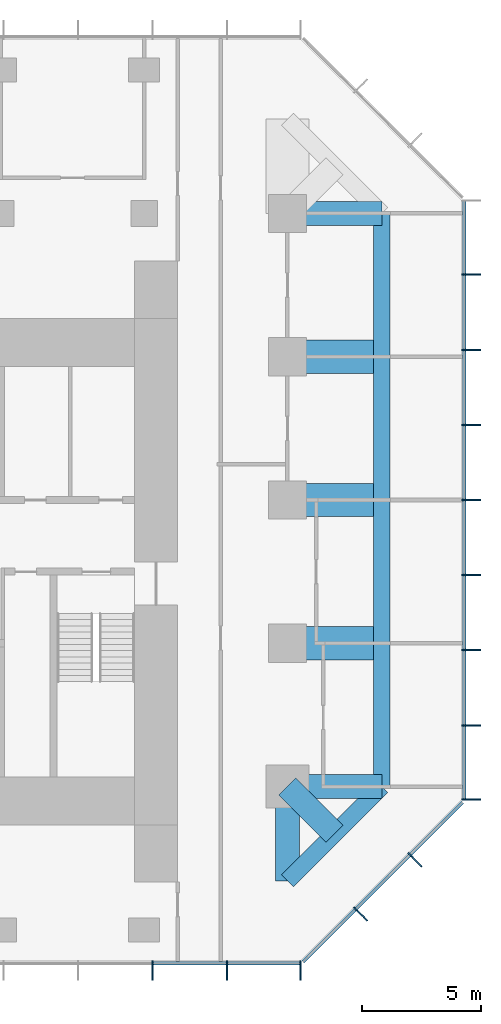
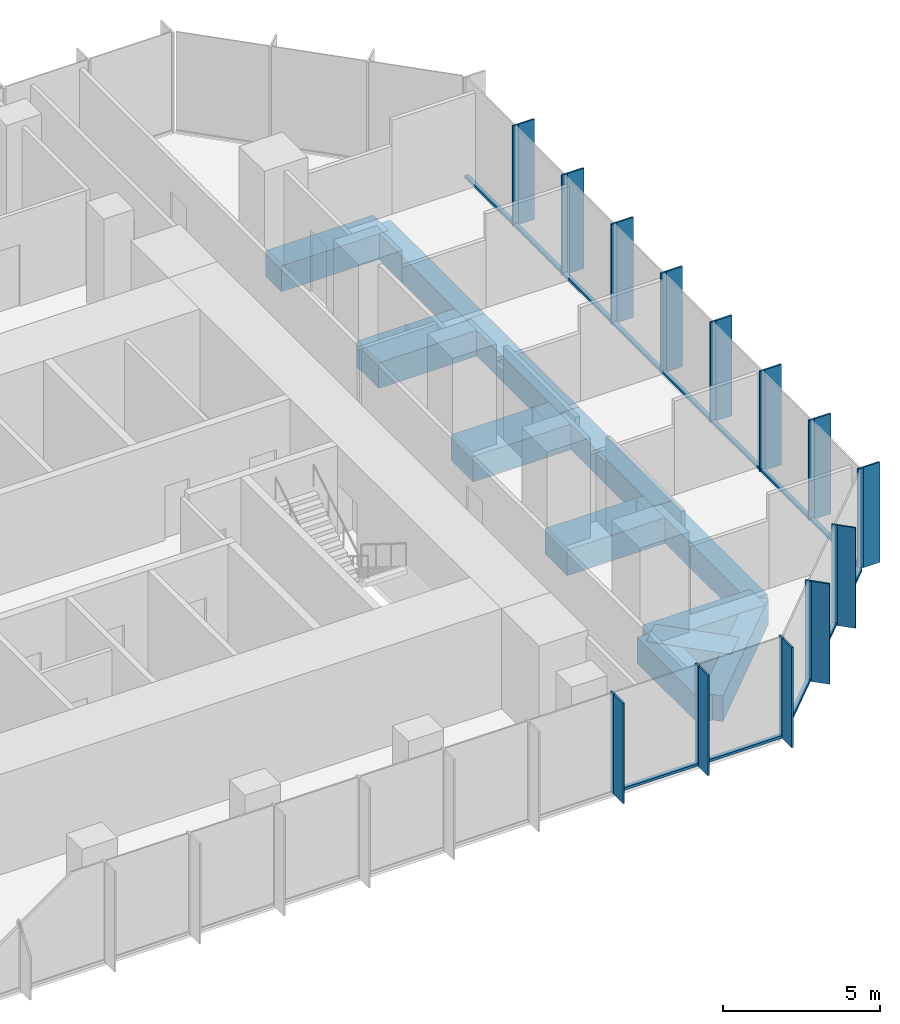
# One storey, part 4 of 10: 39 members, 12 beams, 3 elements without a shape of their own.
"""IFC4 building model written with IfcOpenShell, lengths in metres."""

from ifc_helpers import new_model, si_unit, direction, frame, origin, origin_2d, place, context, subcontext, project, spatial, rectangle, extrude, material, layer, layer_set, material_profile, profile_set, type_object, element, aggregate, save


model = new_model("IFC4")

# Units and contexts
model_context = context("Model", 3, precision=1e-05, world=origin(), true_north=direction((0.0, 1.0)))
body_context = subcontext(model_context, "Body", "Model", "MODEL_VIEW")
ifc_project = project(units=[si_unit("LENGTHUNIT", "METRE"), si_unit("AREAUNIT", "SQUARE_METRE"), si_unit("VOLUMEUNIT", "CUBIC_METRE"), si_unit("PLANEANGLEUNIT", "RADIAN"), si_unit("MASSUNIT", "GRAM", prefix="KILO")], contexts=[model_context])

# Site, building, storey
site_placement = place(None, origin())
site = spatial("IfcSite", under=ifc_project, at=site_placement, CompositionType="ELEMENT")
building_placement = place(site_placement, origin())
building = spatial("IfcBuilding", under=site, at=building_placement, Name="Highveld Stack Headquarters", CompositionType="ELEMENT")
storey_placement = place(building_placement, frame((0.0, 0.0, 248.89990234375)))
storey = spatial("IfcBuildingStorey", under=building, at=storey_placement, Name="L61", CompositionType="ELEMENT", Elevation=248.89990234375)

# Beams
ifc_material_1 = material(Name="Concrete C60/75", Category="concrete")
ifc_material_profile_1 = material_profile(ifc_material_1, rectangle(XDim=1.0, YDim=1.0, at=origin_2d()), Name="RC 1000x1000")
ifc_profile_set_1 = profile_set([ifc_material_profile_1], Name="Concrete C60/75")
beam_type_1 = type_object("IfcBeamType", Name="CANTILEVER RIB RC 1000x1000", PredefinedType="USERDEFINED", material=ifc_profile_set_1)
for number, where, z_axis, x_axis, name in (
    (1, (24.0, -6.0, -0.75), (1.0, 0.0, 0.0), (0.0, 1.0, 0.0), "Cantilever rib 10/D L61"),
    (2, (24.0, -6.0, -0.75), (0.0, -1.0, 0.0), (1.0, 0.0, 0.0), "Cantilever rib 10/D L61"),
):
    element("IfcBeam", number, at=place(storey_placement, frame(where, z_axis=z_axis, x_axis=x_axis)), inside=storey, type_object=beam_type_1, Name=name, ObjectType="CANTILEVER RIB", PredefinedType="USERDEFINED", context=body_context, shape_type="SweptSolid", body=[
        extrude(rectangle(XDim=1.0, YDim=1.0, at=origin_2d()), origin(), (0.0, 0.0, 1.0), 3.949951171875),
    ])
beam_1_placement = place(storey_placement, frame((24.0, -6.0, -0.75), z_axis=(0.707106781187, -0.707106781187, 0.0), x_axis=(0.707106781187, 0.707106781187, 0.0)))
element("IfcBeam", 3, at=beam_1_placement, inside=storey, type_object=beam_type_1, Name="Cantilever rib 10/D L61", ObjectType="CANTILEVER RIB", PredefinedType="USERDEFINED", context=body_context, shape_type="SweptSolid", body=[
    extrude(rectangle(XDim=1.0, YDim=1.0, at=origin_2d()), origin(), (0.0, 0.0, 1.0), 2.793212890625),
])
beam_2_placement = place(storey_placement, frame((24.0, 18.0, -0.75), z_axis=(1.0, 0.0, 0.0), x_axis=(0.0, 1.0, 0.0)))
element("IfcBeam", 4, at=beam_2_placement, inside=storey, type_object=beam_type_1, Name="Cantilever rib 10/H L61", ObjectType="CANTILEVER RIB", PredefinedType="USERDEFINED", context=body_context, shape_type="SweptSolid", body=[
    extrude(rectangle(XDim=1.0, YDim=1.0, at=origin_2d()), origin(), (0.0, 0.0, 1.0), 3.949951171875),
])
ifc_material_2 = material(Name="Concrete C60/75", Category="concrete")
ifc_material_profile_2 = material_profile(ifc_material_2, rectangle(XDim=1.39990234375, YDim=1.0, at=origin_2d()), Name="RC 1400x1000")
ifc_profile_set_2 = profile_set([ifc_material_profile_2], Name="Concrete C60/75")
beam_type_2 = type_object("IfcBeamType", Name="CANTILEVER RIB RC 1400x1000", PredefinedType="USERDEFINED", material=ifc_profile_set_2)
for number, where, z_axis, x_axis, name in (
    (5, (24.0, 0.0, -0.75), (1.0, 0.0, 0.0), (0.0, 1.0, 0.0), "Cantilever rib 10/E L61"),
    (6, (24.0, 6.0, -0.75), (1.0, 0.0, 0.0), (0.0, 1.0, 0.0), "Cantilever rib 10/F L61"),
    (7, (24.0, 12.0, -0.75), (1.0, 0.0, 0.0), (0.0, 1.0, 0.0), "Cantilever rib 10/G L61"),
):
    element("IfcBeam", number, at=place(storey_placement, frame(where, z_axis=z_axis, x_axis=x_axis)), inside=storey, type_object=beam_type_2, Name=name, ObjectType="CANTILEVER RIB", PredefinedType="USERDEFINED", context=body_context, shape_type="SweptSolid", body=[
        extrude(rectangle(XDim=1.39990234375, YDim=1.0, at=origin_2d()), origin(), (0.0, 0.0, 1.0), 3.949951171875),
    ])

# Curtain wall, members
ifc_material_3 = material(Name="Aluminium bronze anodised", Category="aluminium")
ifc_layer = layer(ifc_material_3, 0.199951171875)
ifc_layer_set = layer_set([ifc_layer], Name="Aluminium bronze anodised")
curtain_wall_type = type_object("IfcCurtainWallType", Name="CW5 EXECUTIVE UNITISED CURTAIN WALL", PredefinedType="NOTDEFINED", material=ifc_layer_set)
curtain_wall_1_placement = place(storey_placement, origin())
curtain_wall_1 = element("IfcCurtainWall", 8, at=curtain_wall_1_placement, inside=storey, type_object=curtain_wall_type, Name="Curtain wall CW5 L61 S", PredefinedType="NOTDEFINED")
ifc_material_4 = material(Name="Aluminium bronze anodised", Category="aluminium")
ifc_material_profile_3 = material_profile(ifc_material_4, rectangle(XDim=0.60009765625, YDim=0.06005859375, at=origin_2d()), Name="FIN 600x60")
ifc_profile_set_3 = profile_set([ifc_material_profile_3], Name="Aluminium bronze anodised")
member_type_1 = type_object("IfcMemberType", Name="CW5 BRONZE FIN 600x60", PredefinedType="USERDEFINED", material=ifc_profile_set_3)
member_1_placement = place(storey_placement, frame((18.347900390625, -13.800048828125, 0.0), z_axis=(0.0, 0.0, 1.0), x_axis=(0.0, 1.0, 0.0)))
member_1 = element("IfcMember", 9, at=member_1_placement, type_object=member_type_1, Name="CW5 fin L61 9", ObjectType="FIN", PredefinedType="USERDEFINED", context=body_context, shape_type="SweptSolid", body=[
    extrude(rectangle(XDim=0.60009765625, YDim=0.06005859375, at=origin_2d()), origin(), (0.0, 0.0, 1.0), 3.900146484375),
])
member_2_placement = place(storey_placement, frame((21.4638671875, -13.800048828125, 0.0), z_axis=(0.0, 0.0, 1.0), x_axis=(0.0, 1.0, 0.0)))
member_2 = element("IfcMember", 10, at=member_2_placement, type_object=member_type_1, Name="CW5 fin L61 10", ObjectType="FIN", PredefinedType="USERDEFINED", context=body_context, shape_type="SweptSolid", body=[
    extrude(rectangle(XDim=0.60009765625, YDim=0.06005859375, at=origin_2d()), origin(), (0.0, 0.0, 1.0), 3.900146484375),
])
member_3_placement = place(storey_placement, frame((24.54736328125, -13.800048828125, 0.0), z_axis=(0.0, 0.0, 1.0), x_axis=(0.0, 1.0, 0.0)))
member_3 = element("IfcMember", 11, at=member_3_placement, type_object=member_type_1, Name="CW5 fin L61 11", ObjectType="FIN", PredefinedType="USERDEFINED", context=body_context, shape_type="SweptSolid", body=[
    extrude(rectangle(XDim=0.60009765625, YDim=0.06005859375, at=origin_2d()), origin(), (0.0, 0.0, 1.0), 3.900146484375),
])

curtain_wall_2_placement = place(storey_placement, origin())
curtain_wall_2 = element("IfcCurtainWall", 12, at=curtain_wall_2_placement, inside=storey, type_object=curtain_wall_type, Name="Curtain wall CW5 L61 SE", PredefinedType="NOTDEFINED")
member_4_placement = place(storey_placement, frame((27.135986328125, -11.409423828125, 0.0), z_axis=(0.0, 0.0, 1.0), x_axis=(-0.707106781187, 0.707106781187, 0.0)))
member_4 = element("IfcMember", 13, at=member_4_placement, type_object=member_type_1, Name="CW5 fin L61 1", ObjectType="FIN", PredefinedType="USERDEFINED", context=body_context, shape_type="SweptSolid", body=[
    extrude(rectangle(XDim=0.60009765625, YDim=0.06005859375, at=origin_2d()), origin(), (0.0, 0.0, 1.0), 3.900146484375),
])
member_5_placement = place(storey_placement, frame((29.409423828125, -9.135986328125, 0.0), z_axis=(0.0, 0.0, 1.0), x_axis=(-0.707106781187, 0.707106781187, 0.0)))
member_5 = element("IfcMember", 14, at=member_5_placement, type_object=member_type_1, Name="CW5 fin L61 2", ObjectType="FIN", PredefinedType="USERDEFINED", context=body_context, shape_type="SweptSolid", body=[
    extrude(rectangle(XDim=0.60009765625, YDim=0.06005859375, at=origin_2d()), origin(), (0.0, 0.0, 1.0), 3.900146484375),
])

curtain_wall_3_placement = place(storey_placement, origin())
curtain_wall_3 = element("IfcCurtainWall", 15, at=curtain_wall_3_placement, inside=storey, type_object=curtain_wall_type, Name="Curtain wall CW5 L61 E", PredefinedType="NOTDEFINED")
member_6_placement = place(storey_placement, frame((31.800048828125, -6.54736328125, 0.0), z_axis=(0.0, 0.0, 1.0), x_axis=(-1.0, 0.0, 0.0)))
member_6 = element("IfcMember", 16, at=member_6_placement, type_object=member_type_1, Name="CW5 fin L61 1", ObjectType="FIN", PredefinedType="USERDEFINED", context=body_context, shape_type="SweptSolid", body=[
    extrude(rectangle(XDim=0.60009765625, YDim=0.06005859375, at=origin_2d()), origin(), (0.0, 0.0, 1.0), 3.900146484375),
])
member_7_placement = place(storey_placement, frame((31.800048828125, -3.434814453125, 0.0), z_axis=(0.0, 0.0, 1.0), x_axis=(-1.0, 0.0, 0.0)))
member_7 = element("IfcMember", 17, at=member_7_placement, type_object=member_type_1, Name="CW5 fin L61 2", ObjectType="FIN", PredefinedType="USERDEFINED", context=body_context, shape_type="SweptSolid", body=[
    extrude(rectangle(XDim=0.60009765625, YDim=0.06005859375, at=origin_2d()), origin(), (0.0, 0.0, 1.0), 3.900146484375),
])
member_8_placement = place(storey_placement, frame((31.800048828125, -0.2900390625, 0.0), z_axis=(0.0, 0.0, 1.0), x_axis=(-1.0, 0.0, 0.0)))
member_8 = element("IfcMember", 18, at=member_8_placement, type_object=member_type_1, Name="CW5 fin L61 3", ObjectType="FIN", PredefinedType="USERDEFINED", context=body_context, shape_type="SweptSolid", body=[
    extrude(rectangle(XDim=0.60009765625, YDim=0.06005859375, at=origin_2d()), origin(), (0.0, 0.0, 1.0), 3.900146484375),
])
member_9_placement = place(storey_placement, frame((31.800048828125, 2.85498046875, 0.0), z_axis=(0.0, 0.0, 1.0), x_axis=(-1.0, 0.0, 0.0)))
member_9 = element("IfcMember", 19, at=member_9_placement, type_object=member_type_1, Name="CW5 fin L61 4", ObjectType="FIN", PredefinedType="USERDEFINED", context=body_context, shape_type="SweptSolid", body=[
    extrude(rectangle(XDim=0.60009765625, YDim=0.06005859375, at=origin_2d()), origin(), (0.0, 0.0, 1.0), 3.900146484375),
])
member_10_placement = place(storey_placement, frame((31.800048828125, 6.0, 0.0), z_axis=(0.0, 0.0, 1.0), x_axis=(-1.0, 0.0, 0.0)))
member_10 = element("IfcMember", 20, at=member_10_placement, type_object=member_type_1, Name="CW5 fin L61 5", ObjectType="FIN", PredefinedType="USERDEFINED", context=body_context, shape_type="SweptSolid", body=[
    extrude(rectangle(XDim=0.60009765625, YDim=0.06005859375, at=origin_2d()), origin(), (0.0, 0.0, 1.0), 3.900146484375),
])
member_11_placement = place(storey_placement, frame((31.800048828125, 9.14501953125, 0.0), z_axis=(0.0, 0.0, 1.0), x_axis=(-1.0, 0.0, 0.0)))
member_11 = element("IfcMember", 21, at=member_11_placement, type_object=member_type_1, Name="CW5 fin L61 6", ObjectType="FIN", PredefinedType="USERDEFINED", context=body_context, shape_type="SweptSolid", body=[
    extrude(rectangle(XDim=0.60009765625, YDim=0.06005859375, at=origin_2d()), origin(), (0.0, 0.0, 1.0), 3.900146484375),
])
member_12_placement = place(storey_placement, frame((31.800048828125, 12.289794921875, 0.0), z_axis=(0.0, 0.0, 1.0), x_axis=(-1.0, 0.0, 0.0)))
member_12 = element("IfcMember", 22, at=member_12_placement, type_object=member_type_1, Name="CW5 fin L61 7", ObjectType="FIN", PredefinedType="USERDEFINED", context=body_context, shape_type="SweptSolid", body=[
    extrude(rectangle(XDim=0.60009765625, YDim=0.06005859375, at=origin_2d()), origin(), (0.0, 0.0, 1.0), 3.900146484375),
])
member_13_placement = place(storey_placement, frame((31.800048828125, 15.434814453125, 0.0), z_axis=(0.0, 0.0, 1.0), x_axis=(-1.0, 0.0, 0.0)))
member_13 = element("IfcMember", 23, at=member_13_placement, type_object=member_type_1, Name="CW5 fin L61 8", ObjectType="FIN", PredefinedType="USERDEFINED", context=body_context, shape_type="SweptSolid", body=[
    extrude(rectangle(XDim=0.60009765625, YDim=0.06005859375, at=origin_2d()), origin(), (0.0, 0.0, 1.0), 3.900146484375),
])

# Member
ifc_material_5 = material(Name="Aluminium bronze anodised", Category="aluminium")
ifc_material_profile_4 = material_profile(ifc_material_5, rectangle(XDim=0.199951171875, YDim=0.06494140625, at=origin_2d()), Name="CW5 MULLION 65x200")
ifc_profile_set_4 = profile_set([ifc_material_profile_4], Name="Aluminium bronze anodised")
member_type_2 = type_object("IfcMemberType", Name="CW5 MULLION 65x200", PredefinedType="MULLION", material=ifc_profile_set_4)
member_14_placement = place(storey_placement, frame((18.347900390625, -13.39990234375, 0.0), z_axis=(0.0, 0.0, 1.0), x_axis=(0.0, 1.0, 0.0)))
member_14 = element("IfcMember", 24, at=member_14_placement, type_object=member_type_2, Name="CW5 mullion L61 9", PredefinedType="MULLION", context=body_context, shape_type="SweptSolid", body=[
    extrude(rectangle(XDim=0.199951171875, YDim=0.06494140625, at=origin_2d()), origin(), (0.0, 0.0, 1.0), 3.900146484375),
])

member_15_placement = place(storey_placement, frame((21.4638671875, -13.39990234375, 0.0), z_axis=(0.0, 0.0, 1.0), x_axis=(0.0, 1.0, 0.0)))
member_15 = element("IfcMember", 25, at=member_15_placement, type_object=member_type_2, Name="CW5 mullion L61 10", PredefinedType="MULLION", context=body_context, shape_type="SweptSolid", body=[
    extrude(rectangle(XDim=0.199951171875, YDim=0.06494140625, at=origin_2d()), origin(), (0.0, 0.0, 1.0), 3.900146484375),
])

member_16_placement = place(storey_placement, frame((24.54736328125, -13.39990234375, 0.0), z_axis=(0.0, 0.0, 1.0), x_axis=(0.0, 1.0, 0.0)))
member_16 = element("IfcMember", 26, at=member_16_placement, type_object=member_type_2, Name="CW5 mullion L61 11", PredefinedType="MULLION", context=body_context, shape_type="SweptSolid", body=[
    extrude(rectangle(XDim=0.199951171875, YDim=0.06494140625, at=origin_2d()), origin(), (0.0, 0.0, 1.0), 3.900146484375),
])

member_17_placement = place(storey_placement, frame((26.853271484375, -11.126708984375, 0.0), z_axis=(0.0, 0.0, 1.0), x_axis=(-0.707106781187, 0.707106781187, 0.0)))
member_17 = element("IfcMember", 27, at=member_17_placement, type_object=member_type_2, Name="CW5 mullion L61 1", PredefinedType="MULLION", context=body_context, shape_type="SweptSolid", body=[
    extrude(rectangle(XDim=0.199951171875, YDim=0.06494140625, at=origin_2d()), origin(), (0.0, 0.0, 1.0), 3.900146484375),
])

member_18_placement = place(storey_placement, frame((29.126708984375, -8.853271484375, 0.0), z_axis=(0.0, 0.0, 1.0), x_axis=(-0.707106781187, 0.707106781187, 0.0)))
member_18 = element("IfcMember", 28, at=member_18_placement, type_object=member_type_2, Name="CW5 mullion L61 2", PredefinedType="MULLION", context=body_context, shape_type="SweptSolid", body=[
    extrude(rectangle(XDim=0.199951171875, YDim=0.06494140625, at=origin_2d()), origin(), (0.0, 0.0, 1.0), 3.900146484375),
])

member_19_placement = place(storey_placement, frame((31.39990234375, -6.54736328125, 0.0), z_axis=(0.0, 0.0, 1.0), x_axis=(-1.0, 0.0, 0.0)))
member_19 = element("IfcMember", 29, at=member_19_placement, type_object=member_type_2, Name="CW5 mullion L61 1", PredefinedType="MULLION", context=body_context, shape_type="SweptSolid", body=[
    extrude(rectangle(XDim=0.199951171875, YDim=0.06494140625, at=origin_2d()), origin(), (0.0, 0.0, 1.0), 3.900146484375),
])

member_20_placement = place(storey_placement, frame((31.39990234375, -3.434814453125, 0.0), z_axis=(0.0, 0.0, 1.0), x_axis=(-1.0, 0.0, 0.0)))
member_20 = element("IfcMember", 30, at=member_20_placement, type_object=member_type_2, Name="CW5 mullion L61 2", PredefinedType="MULLION", context=body_context, shape_type="SweptSolid", body=[
    extrude(rectangle(XDim=0.199951171875, YDim=0.06494140625, at=origin_2d()), origin(), (0.0, 0.0, 1.0), 3.900146484375),
])

member_21_placement = place(storey_placement, frame((31.39990234375, -0.2900390625, 0.0), z_axis=(0.0, 0.0, 1.0), x_axis=(-1.0, 0.0, 0.0)))
member_21 = element("IfcMember", 31, at=member_21_placement, type_object=member_type_2, Name="CW5 mullion L61 3", PredefinedType="MULLION", context=body_context, shape_type="SweptSolid", body=[
    extrude(rectangle(XDim=0.199951171875, YDim=0.06494140625, at=origin_2d()), origin(), (0.0, 0.0, 1.0), 3.900146484375),
])

member_22_placement = place(storey_placement, frame((31.39990234375, 2.85498046875, 0.0), z_axis=(0.0, 0.0, 1.0), x_axis=(-1.0, 0.0, 0.0)))
member_22 = element("IfcMember", 32, at=member_22_placement, type_object=member_type_2, Name="CW5 mullion L61 4", PredefinedType="MULLION", context=body_context, shape_type="SweptSolid", body=[
    extrude(rectangle(XDim=0.199951171875, YDim=0.06494140625, at=origin_2d()), origin(), (0.0, 0.0, 1.0), 3.900146484375),
])

member_23_placement = place(storey_placement, frame((31.39990234375, 6.0, 0.0), z_axis=(0.0, 0.0, 1.0), x_axis=(-1.0, 0.0, 0.0)))
member_23 = element("IfcMember", 33, at=member_23_placement, type_object=member_type_2, Name="CW5 mullion L61 5", PredefinedType="MULLION", context=body_context, shape_type="SweptSolid", body=[
    extrude(rectangle(XDim=0.199951171875, YDim=0.06494140625, at=origin_2d()), origin(), (0.0, 0.0, 1.0), 3.900146484375),
])

member_24_placement = place(storey_placement, frame((31.39990234375, 9.14501953125, 0.0), z_axis=(0.0, 0.0, 1.0), x_axis=(-1.0, 0.0, 0.0)))
member_24 = element("IfcMember", 34, at=member_24_placement, type_object=member_type_2, Name="CW5 mullion L61 6", PredefinedType="MULLION", context=body_context, shape_type="SweptSolid", body=[
    extrude(rectangle(XDim=0.199951171875, YDim=0.06494140625, at=origin_2d()), origin(), (0.0, 0.0, 1.0), 3.900146484375),
])

member_25_placement = place(storey_placement, frame((31.39990234375, 12.289794921875, 0.0), z_axis=(0.0, 0.0, 1.0), x_axis=(-1.0, 0.0, 0.0)))
member_25 = element("IfcMember", 35, at=member_25_placement, type_object=member_type_2, Name="CW5 mullion L61 7", PredefinedType="MULLION", context=body_context, shape_type="SweptSolid", body=[
    extrude(rectangle(XDim=0.199951171875, YDim=0.06494140625, at=origin_2d()), origin(), (0.0, 0.0, 1.0), 3.900146484375),
])

member_26_placement = place(storey_placement, frame((31.39990234375, 15.434814453125, 0.0), z_axis=(0.0, 0.0, 1.0), x_axis=(-1.0, 0.0, 0.0)))
member_26 = element("IfcMember", 36, at=member_26_placement, type_object=member_type_2, Name="CW5 mullion L61 8", PredefinedType="MULLION", context=body_context, shape_type="SweptSolid", body=[
    extrude(rectangle(XDim=0.199951171875, YDim=0.06494140625, at=origin_2d()), origin(), (0.0, 0.0, 1.0), 3.900146484375),
])

ifc_material_6 = material(Name="Aluminium bronze anodised", Category="aluminium")
ifc_material_profile_5 = material_profile(ifc_material_6, rectangle(XDim=0.14990234375, YDim=0.10009765625, at=origin_2d()), Name="CW5 TRANSOM 150x100")
ifc_profile_set_5 = profile_set([ifc_material_profile_5], Name="Aluminium bronze anodised")
member_type_3 = type_object("IfcMemberType", Name="CW5 STACK TRANSOM 150x100", PredefinedType="USERDEFINED", material=ifc_profile_set_5)
member_27_placement = place(storey_placement, frame((18.38037109375, -13.39990234375, 0.050048828125), z_axis=(1.0, 0.0, 0.0), x_axis=(0.0, 1.0, 0.0)))
member_27 = element("IfcMember", 37, at=member_27_placement, type_object=member_type_3, Name="CW5 transom L61 9.1", ObjectType="TRANSOM", PredefinedType="USERDEFINED", context=body_context, shape_type="SweptSolid", body=[
    extrude(rectangle(XDim=0.14990234375, YDim=0.10009765625, at=origin_2d()), origin(), (0.0, 0.0, 1.0), 3.051025390625),
])

member_28_placement = place(storey_placement, frame((21.496337890625, -13.39990234375, 0.050048828125), z_axis=(1.0, 0.0, 0.0), x_axis=(0.0, 1.0, 0.0)))
member_28 = element("IfcMember", 38, at=member_28_placement, type_object=member_type_3, Name="CW5 transom L61 10.1", ObjectType="TRANSOM", PredefinedType="USERDEFINED", context=body_context, shape_type="SweptSolid", body=[
    extrude(rectangle(XDim=0.14990234375, YDim=0.10009765625, at=origin_2d()), origin(), (0.0, 0.0, 1.0), 3.0185546875),
])

aggregate(curtain_wall_1, [member_14, member_1, member_15, member_2, member_16, member_3, member_27, member_28])

member_29_placement = place(storey_placement, frame((24.650634765625, -13.329345703125, 0.050048828125), z_axis=(0.707106781187, 0.707106781187, 0.0), x_axis=(-0.707106781187, 0.707106781187, 0.0)))
member_29 = element("IfcMember", 39, at=member_29_placement, type_object=member_type_3, Name="CW5 transom L61 1.1", ObjectType="TRANSOM", PredefinedType="USERDEFINED", context=body_context, shape_type="SweptSolid", body=[
    extrude(rectangle(XDim=0.14990234375, YDim=0.10009765625, at=origin_2d()), origin(), (0.0, 0.0, 1.0), 3.08251953125),
])

member_30_placement = place(storey_placement, frame((26.876220703125, -11.103759765625, 0.050048828125), z_axis=(0.707106781187, 0.707106781187, 0.0), x_axis=(-0.707106781187, 0.707106781187, 0.0)))
member_30 = element("IfcMember", 40, at=member_30_placement, type_object=member_type_3, Name="CW5 transom L61 2.1", ObjectType="TRANSOM", PredefinedType="USERDEFINED", context=body_context, shape_type="SweptSolid", body=[
    extrude(rectangle(XDim=0.14990234375, YDim=0.10009765625, at=origin_2d()), origin(), (0.0, 0.0, 1.0), 3.150146484375),
])

member_31_placement = place(storey_placement, frame((29.149658203125, -8.830322265625, 0.050048828125), z_axis=(0.707106781187, 0.707106781187, 0.0), x_axis=(-0.707106781187, 0.707106781187, 0.0)))
member_31 = element("IfcMember", 41, at=member_31_placement, type_object=member_type_3, Name="CW5 transom L61 3.1", ObjectType="TRANSOM", PredefinedType="USERDEFINED", context=body_context, shape_type="SweptSolid", body=[
    extrude(rectangle(XDim=0.14990234375, YDim=0.10009765625, at=origin_2d()), origin(), (0.0, 0.0, 1.0), 3.08251953125),
])

aggregate(curtain_wall_2, [member_17, member_4, member_18, member_5, member_29, member_30, member_31])

member_32_placement = place(storey_placement, frame((31.39990234375, -6.514892578125, 0.050048828125), z_axis=(0.0, 1.0, 0.0), x_axis=(-1.0, 0.0, 0.0)))
member_32 = element("IfcMember", 42, at=member_32_placement, type_object=member_type_3, Name="CW5 transom L61 1.1", ObjectType="TRANSOM", PredefinedType="USERDEFINED", context=body_context, shape_type="SweptSolid", body=[
    extrude(rectangle(XDim=0.14990234375, YDim=0.10009765625, at=origin_2d()), origin(), (0.0, 0.0, 1.0), 3.047607421875),
])

member_33_placement = place(storey_placement, frame((31.39990234375, -3.40234375, 0.050048828125), z_axis=(0.0, 1.0, 0.0), x_axis=(-1.0, 0.0, 0.0)))
member_33 = element("IfcMember", 43, at=member_33_placement, type_object=member_type_3, Name="CW5 transom L61 2.1", ObjectType="TRANSOM", PredefinedType="USERDEFINED", context=body_context, shape_type="SweptSolid", body=[
    extrude(rectangle(XDim=0.14990234375, YDim=0.10009765625, at=origin_2d()), origin(), (0.0, 0.0, 1.0), 3.079833984375),
])

member_34_placement = place(storey_placement, frame((31.39990234375, -0.257568359375, 0.050048828125), z_axis=(0.0, 1.0, 0.0), x_axis=(-1.0, 0.0, 0.0)))
member_34 = element("IfcMember", 44, at=member_34_placement, type_object=member_type_3, Name="CW5 transom L61 3.1", ObjectType="TRANSOM", PredefinedType="USERDEFINED", context=body_context, shape_type="SweptSolid", body=[
    extrude(rectangle(XDim=0.14990234375, YDim=0.10009765625, at=origin_2d()), origin(), (0.0, 0.0, 1.0), 3.080078125),
])

member_35_placement = place(storey_placement, frame((31.39990234375, 2.887451171875, 0.050048828125), z_axis=(0.0, 1.0, 0.0), x_axis=(-1.0, 0.0, 0.0)))
member_35 = element("IfcMember", 45, at=member_35_placement, type_object=member_type_3, Name="CW5 transom L61 4.1", ObjectType="TRANSOM", PredefinedType="USERDEFINED", context=body_context, shape_type="SweptSolid", body=[
    extrude(rectangle(XDim=0.14990234375, YDim=0.10009765625, at=origin_2d()), origin(), (0.0, 0.0, 1.0), 3.080078125),
])

member_36_placement = place(storey_placement, frame((31.39990234375, 6.032470703125, 0.050048828125), z_axis=(0.0, 1.0, 0.0), x_axis=(-1.0, 0.0, 0.0)))
member_36 = element("IfcMember", 46, at=member_36_placement, type_object=member_type_3, Name="CW5 transom L61 5.1", ObjectType="TRANSOM", PredefinedType="USERDEFINED", context=body_context, shape_type="SweptSolid", body=[
    extrude(rectangle(XDim=0.14990234375, YDim=0.10009765625, at=origin_2d()), origin(), (0.0, 0.0, 1.0), 3.080078125),
])

member_37_placement = place(storey_placement, frame((31.39990234375, 9.177490234375, 0.050048828125), z_axis=(0.0, 1.0, 0.0), x_axis=(-1.0, 0.0, 0.0)))
member_37 = element("IfcMember", 47, at=member_37_placement, type_object=member_type_3, Name="CW5 transom L61 6.1", ObjectType="TRANSOM", PredefinedType="USERDEFINED", context=body_context, shape_type="SweptSolid", body=[
    extrude(rectangle(XDim=0.14990234375, YDim=0.10009765625, at=origin_2d()), origin(), (0.0, 0.0, 1.0), 3.080078125),
])

member_38_placement = place(storey_placement, frame((31.39990234375, 12.322509765625, 0.050048828125), z_axis=(0.0, 1.0, 0.0), x_axis=(-1.0, 0.0, 0.0)))
member_38 = element("IfcMember", 48, at=member_38_placement, type_object=member_type_3, Name="CW5 transom L61 7.1", ObjectType="TRANSOM", PredefinedType="USERDEFINED", context=body_context, shape_type="SweptSolid", body=[
    extrude(rectangle(XDim=0.14990234375, YDim=0.10009765625, at=origin_2d()), origin(), (0.0, 0.0, 1.0), 3.079833984375),
])

member_39_placement = place(storey_placement, frame((31.39990234375, 15.46728515625, 0.050048828125), z_axis=(0.0, 1.0, 0.0), x_axis=(-1.0, 0.0, 0.0)))
member_39 = element("IfcMember", 49, at=member_39_placement, type_object=member_type_3, Name="CW5 transom L61 8.1", ObjectType="TRANSOM", PredefinedType="USERDEFINED", context=body_context, shape_type="SweptSolid", body=[
    extrude(rectangle(XDim=0.14990234375, YDim=0.10009765625, at=origin_2d()), origin(), (0.0, 0.0, 1.0), 3.047607421875),
])

aggregate(curtain_wall_3, [member_19, member_6, member_20, member_7, member_21, member_8, member_22, member_9, member_23, member_10, member_24, member_11, member_25, member_12, member_26, member_13, member_32, member_33, member_34, member_35, member_36, member_37, member_38, member_39])

# Beams
ifc_material_7 = material(Name="Concrete C60/75", Category="concrete")
ifc_material_profile_6 = material_profile(ifc_material_7, rectangle(XDim=0.699951171875, YDim=1.0, at=origin_2d()), Name="RC 700x1000")
ifc_profile_set_6 = profile_set([ifc_material_profile_6], Name="Concrete C60/75")
beam_type_3 = type_object("IfcBeamType", Name="RIB TIP BEAM RC 700x1000", PredefinedType="SPANDREL", material=ifc_profile_set_6)
for number, where, z_axis, x_axis, name in (
    (50, (27.949951171875, -6.0, -0.75), (0.0, 1.0, 0.0), (-1.0, 0.0, 0.0), "Rib tip beam 10/D to 10/E L61"),
    (51, (27.949951171875, 0.0, -0.75), (0.0, 1.0, 0.0), (-1.0, 0.0, 0.0), "Rib tip beam 10/E to 10/F L61"),
    (52, (27.949951171875, 6.0, -0.75), (0.0, 1.0, 0.0), (-1.0, 0.0, 0.0), "Rib tip beam 10/F to 10/G L61"),
    (53, (27.949951171875, 12.0, -0.75), (0.0, 1.0, 0.0), (-1.0, 0.0, 0.0), "Rib tip beam 10/G to 10/H L61"),
):
    element("IfcBeam", number, at=place(storey_placement, frame(where, z_axis=z_axis, x_axis=x_axis)), inside=storey, type_object=beam_type_3, Name=name, PredefinedType="SPANDREL", context=body_context, shape_type="SweptSolid", body=[
        extrude(rectangle(XDim=0.699951171875, YDim=1.0, at=origin_2d()), origin(), (0.0, 0.0, 1.0), 6.0),
    ])
beam_3_placement = place(storey_placement, frame((27.949951171875, -6.0, -0.75), z_axis=(-0.707106781187, -0.707106781187, 0.0), x_axis=(0.707106781187, -0.707106781187, 0.0)))
element("IfcBeam", 54, at=beam_3_placement, inside=storey, type_object=beam_type_3, Name="Rib tip beam 10/D corner L61", PredefinedType="SPANDREL", context=body_context, shape_type="SweptSolid", body=[
    extrude(rectangle(XDim=0.699951171875, YDim=1.0, at=origin_2d()), origin(), (0.0, 0.0, 1.0), 5.586181640625),
])

save(model, "model.ifc")
